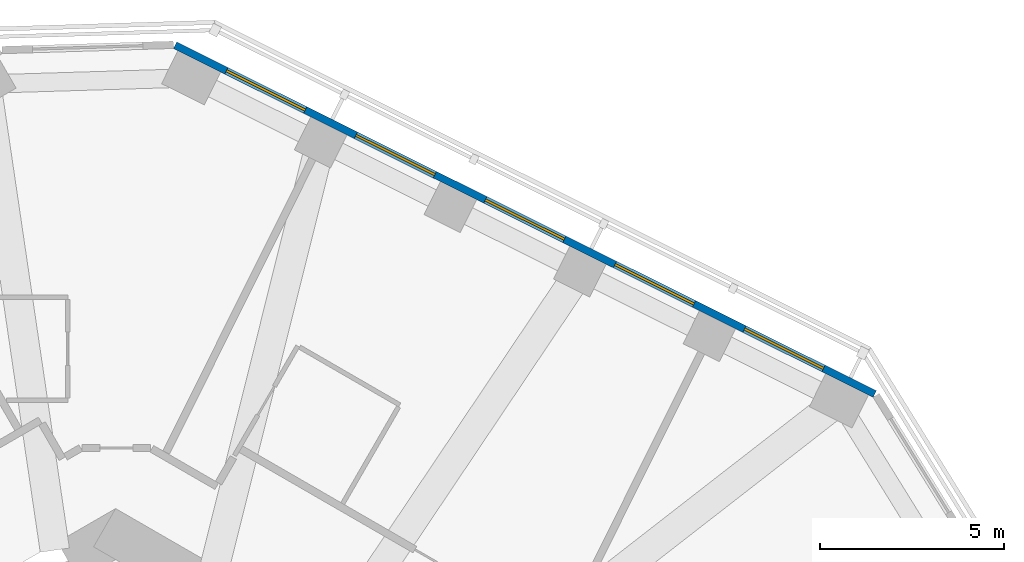
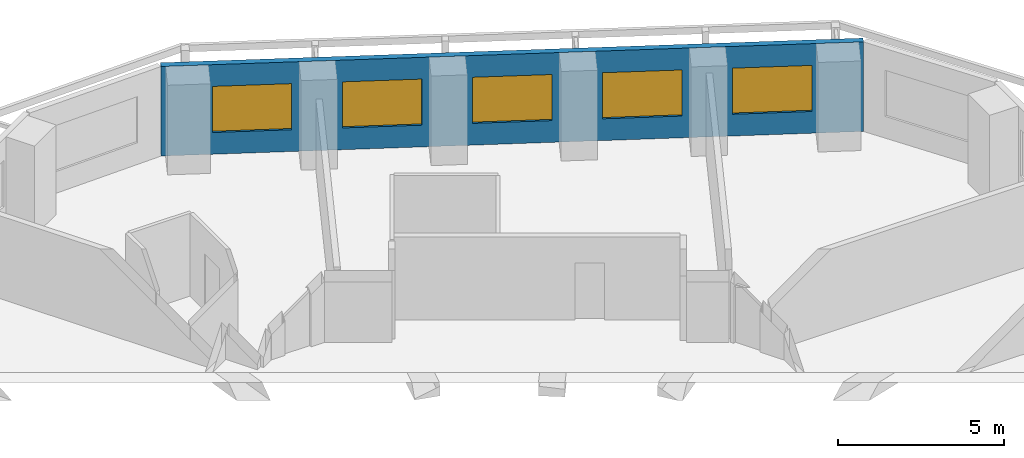
# One storey, part 9 of 12: 5 windows, 1 wall, 5 openings.
"""IFC4 building model written with IfcOpenShell, lengths in metres."""

from ifc_helpers import new_model, si_unit, direction, frame, frame_2d, origin, place, context, subcontext, project, spatial, rectangle, extrude, material, layer, layer_set, type_object, element, fill, save


model = new_model("IFC4")

# Units and contexts
model_context = context("Model", 3, precision=1e-05, world=origin(), true_north=direction((0.0, 1.0)))
body_context = subcontext(model_context, "Body", "Model", "MODEL_VIEW")
ifc_project = project(units=[si_unit("LENGTHUNIT", "METRE"), si_unit("AREAUNIT", "SQUARE_METRE"), si_unit("VOLUMEUNIT", "CUBIC_METRE"), si_unit("PLANEANGLEUNIT", "RADIAN"), si_unit("MASSUNIT", "GRAM", prefix="KILO")], contexts=[model_context])

# Site, building, storey
site_placement = place(None, origin())
site = spatial("IfcSite", under=ifc_project, at=site_placement, CompositionType="ELEMENT")
building_placement = place(site_placement, origin())
building = spatial("IfcBuilding", under=site, at=building_placement, Name="Vanh Sen Convention Tower", CompositionType="ELEMENT")
storey_placement = place(building_placement, frame((0.0, 0.0, 103.39990234375)))
storey = spatial("IfcBuildingStorey", under=building, at=storey_placement, Name="L24", CompositionType="ELEMENT", Elevation=103.39990234375)

# Wall, openings, windows
ifc_material_1 = material(Name="Insulated lightweight infill wall")
ifc_layer = layer(ifc_material_1, 0.199951171875)
ifc_layer_set = layer_set([ifc_layer], Name="Insulated lightweight infill wall")
wall_type = type_object("IfcWallType", Name="External wall 200", PredefinedType="STANDARD", material=ifc_layer_set)
wall_placement = place(storey_placement, frame((20.6298828125, 15.470458984375, 0.0), z_axis=(0.0, 0.0, 1.0), x_axis=(-0.894934518609, 0.446197498203, 0.0)))
wall = element("IfcWall", 1, at=wall_placement, inside=storey, type_object=wall_type, Name="External wall NE L24", PredefinedType="STANDARD", context=body_context, shape_type="SweptSolid", body=[
    extrude(rectangle(XDim=21.24609375, YDim=0.199951171875, at=frame_2d((10.623046875, 0.0))), origin(), (0.0, 0.0, 1.0), 3.300048828125),
])
opening_1_placement = place(wall_placement, frame((1.552978515625, 0.0, 0.800048828125)))
opening_1 = element("IfcOpeningElement", 2, at=opening_1_placement, cuts=wall, Name="Opening WH1-NE1", PredefinedType="OPENING", context=body_context, shape_type="SweptSolid", body=[
    extrude(rectangle(XDim=2.39990234375, YDim=1.699951171875, at=frame_2d((1.199951171875, 0.85009765625))), frame((0.0, 0.10986328125, 0.0), z_axis=(0.0, -1.0, 0.0), x_axis=(1.0, 0.0, 0.0)), (0.0, 0.0, 1.0), 0.219970703125),
])
opening_2_placement = place(wall_placement, frame((5.48779296875, 0.0, 0.800048828125)))
opening_2 = element("IfcOpeningElement", 3, at=opening_2_placement, cuts=wall, Name="Opening WH1-NE2", PredefinedType="OPENING", context=body_context, shape_type="SweptSolid", body=[
    extrude(rectangle(XDim=2.39990234375, YDim=1.699951171875, at=frame_2d((1.199951171875, 0.85009765625))), frame((0.0, 0.10986328125, 0.0), z_axis=(0.0, -1.0, 0.0), x_axis=(1.0, 0.0, 0.0)), (0.0, 0.0, 1.0), 0.219970703125),
])
opening_3_placement = place(wall_placement, frame((9.42236328125, 0.0, 0.800048828125)))
opening_3 = element("IfcOpeningElement", 4, at=opening_3_placement, cuts=wall, Name="Opening WH1-NE3", PredefinedType="OPENING", context=body_context, shape_type="SweptSolid", body=[
    extrude(rectangle(XDim=2.39990234375, YDim=1.699951171875, at=frame_2d((1.199951171875, 0.85009765625))), frame((0.0, 0.10986328125, 0.0), z_axis=(0.0, -1.0, 0.0), x_axis=(1.0, 0.0, 0.0)), (0.0, 0.0, 1.0), 0.219970703125),
])
opening_4_placement = place(wall_placement, frame((13.35693359375, 0.0, 0.800048828125)))
opening_4 = element("IfcOpeningElement", 5, at=opening_4_placement, cuts=wall, Name="Opening WH1-NE4", PredefinedType="OPENING", context=body_context, shape_type="SweptSolid", body=[
    extrude(rectangle(XDim=2.39990234375, YDim=1.699951171875, at=frame_2d((1.199951171875, 0.85009765625))), frame((0.0, 0.10986328125, 0.0), z_axis=(0.0, -1.0, 0.0), x_axis=(1.0, 0.0, 0.0)), (0.0, 0.0, 1.0), 0.219970703125),
])
opening_5_placement = place(wall_placement, frame((17.29150390625, 0.0, 0.800048828125)))
opening_5 = element("IfcOpeningElement", 6, at=opening_5_placement, cuts=wall, Name="Opening WH1-NE5", PredefinedType="OPENING", context=body_context, shape_type="SweptSolid", body=[
    extrude(rectangle(XDim=2.39990234375, YDim=1.699951171875, at=frame_2d((1.199951171875, 0.85009765625))), frame((0.0, 0.10986328125, 0.0), z_axis=(0.0, -1.0, 0.0), x_axis=(1.0, 0.0, 0.0)), (0.0, 0.0, 1.0), 0.219970703125),
])
ifc_material_2 = material(Name="Aluminium frame with clear low-emissivity glass", Category="aluminium")
window_type = type_object("IfcWindowType", Name="Hotel window 2400 x 1700", PartitioningType="SINGLE_PANEL", PredefinedType="WINDOW", material=ifc_material_2)
window_1_placement = place(opening_1_placement, origin())
window_1 = element("IfcWindow", 7, at=window_1_placement, inside=storey, type_object=window_type, Name="Window WH1-NE1", OverallHeight=1.699951171875, OverallWidth=2.39990234375, PartitioningType="SINGLE_PANEL", PredefinedType="WINDOW", context=body_context, shape_type="SweptSolid", body=[
    extrude(rectangle(XDim=2.39990234375, YDim=1.699951171875, at=frame_2d((1.199951171875, 0.85009765625))), frame((0.0, 0.030029296875, 0.0), z_axis=(0.0, -1.0, 0.0), x_axis=(1.0, 0.0, 0.0)), (0.0, 0.0, 1.0), 0.06005859375),
])
fill(opening_1, window_1)
window_2_placement = place(opening_2_placement, origin())
window_2 = element("IfcWindow", 8, at=window_2_placement, inside=storey, type_object=window_type, Name="Window WH1-NE2", OverallHeight=1.699951171875, OverallWidth=2.39990234375, PartitioningType="SINGLE_PANEL", PredefinedType="WINDOW", context=body_context, shape_type="SweptSolid", body=[
    extrude(rectangle(XDim=2.39990234375, YDim=1.699951171875, at=frame_2d((1.199951171875, 0.85009765625))), frame((0.0, 0.030029296875, 0.0), z_axis=(0.0, -1.0, 0.0), x_axis=(1.0, 0.0, 0.0)), (0.0, 0.0, 1.0), 0.06005859375),
])
fill(opening_2, window_2)
window_3_placement = place(opening_3_placement, origin())
window_3 = element("IfcWindow", 9, at=window_3_placement, inside=storey, type_object=window_type, Name="Window WH1-NE3", OverallHeight=1.699951171875, OverallWidth=2.39990234375, PartitioningType="SINGLE_PANEL", PredefinedType="WINDOW", context=body_context, shape_type="SweptSolid", body=[
    extrude(rectangle(XDim=2.39990234375, YDim=1.699951171875, at=frame_2d((1.199951171875, 0.85009765625))), frame((0.0, 0.030029296875, 0.0), z_axis=(0.0, -1.0, 0.0), x_axis=(1.0, 0.0, 0.0)), (0.0, 0.0, 1.0), 0.06005859375),
])
fill(opening_3, window_3)
window_4_placement = place(opening_4_placement, origin())
window_4 = element("IfcWindow", 10, at=window_4_placement, inside=storey, type_object=window_type, Name="Window WH1-NE4", OverallHeight=1.699951171875, OverallWidth=2.39990234375, PartitioningType="SINGLE_PANEL", PredefinedType="WINDOW", context=body_context, shape_type="SweptSolid", body=[
    extrude(rectangle(XDim=2.39990234375, YDim=1.699951171875, at=frame_2d((1.199951171875, 0.85009765625))), frame((0.0, 0.030029296875, 0.0), z_axis=(0.0, -1.0, 0.0), x_axis=(1.0, 0.0, 0.0)), (0.0, 0.0, 1.0), 0.06005859375),
])
fill(opening_4, window_4)
window_5_placement = place(opening_5_placement, origin())
window_5 = element("IfcWindow", 11, at=window_5_placement, inside=storey, type_object=window_type, Name="Window WH1-NE5", OverallHeight=1.699951171875, OverallWidth=2.39990234375, PartitioningType="SINGLE_PANEL", PredefinedType="WINDOW", context=body_context, shape_type="SweptSolid", body=[
    extrude(rectangle(XDim=2.39990234375, YDim=1.699951171875, at=frame_2d((1.199951171875, 0.85009765625))), frame((0.0, 0.030029296875, 0.0), z_axis=(0.0, -1.0, 0.0), x_axis=(1.0, 0.0, 0.0)), (0.0, 0.0, 1.0), 0.06005859375),
])
fill(opening_5, window_5)

save(model, "model.ifc")
